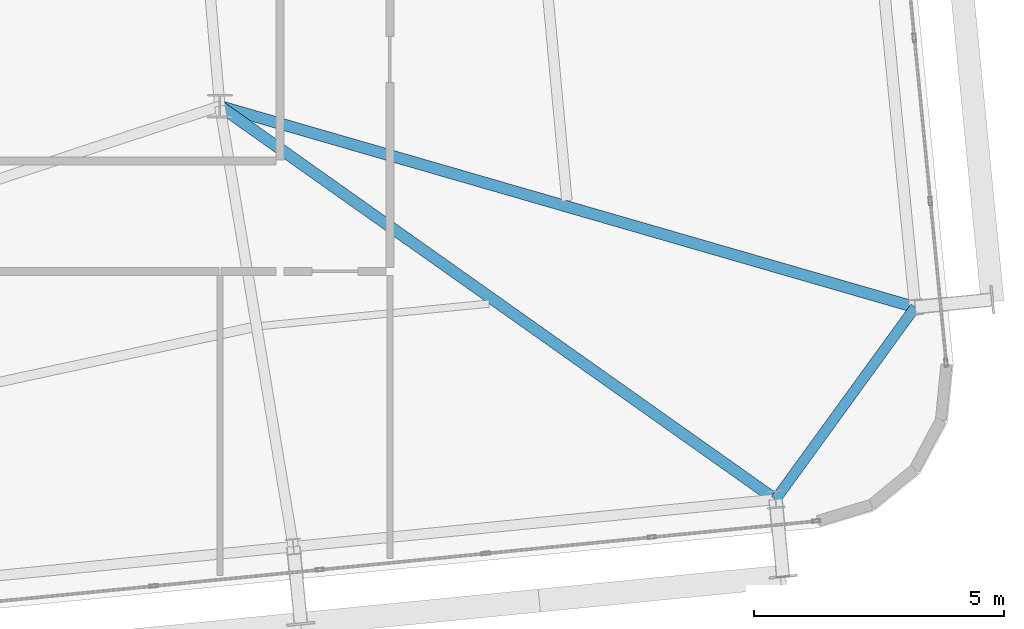
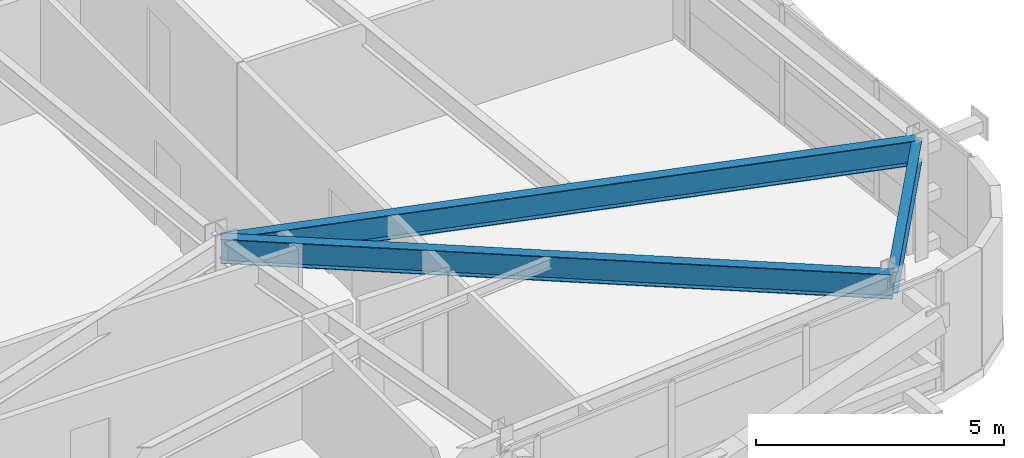
# One storey, part 21 of 52: 3 beams.
"""IFC4 building model written with IfcOpenShell, lengths in metres."""

from ifc_helpers import new_model, si_unit, direction, frame, origin, origin_2d, place, context, subcontext, project, spatial, i_section, extrude, source, transform, mapped, material, material_profile, profile_set, type_object, element, save


model = new_model("IFC4")

# Units and contexts
model_context = context("Model", 3, precision=1e-05, world=origin(), true_north=direction((0.0, 1.0)))
body_context = subcontext(model_context, "Body", "Model", "MODEL_VIEW")
ifc_project = project(units=[si_unit("LENGTHUNIT", "METRE"), si_unit("AREAUNIT", "SQUARE_METRE"), si_unit("VOLUMEUNIT", "CUBIC_METRE"), si_unit("PLANEANGLEUNIT", "RADIAN"), si_unit("MASSUNIT", "GRAM", prefix="KILO")], contexts=[model_context])

# Site, building, storey
site_placement = place(None, origin())
site = spatial("IfcSite", under=ifc_project, at=site_placement, CompositionType="ELEMENT")
building_placement = place(site_placement, origin())
building = spatial("IfcBuilding", under=site, at=building_placement, Name="Taldren Reach Tower", CompositionType="ELEMENT")
storey_placement = place(building_placement, frame((0.0, 0.0, 93.449951171875)))
storey = spatial("IfcBuildingStorey", under=building, at=storey_placement, Name="L28", CompositionType="ELEMENT", Elevation=93.449951171875)

# Beams
ifc_material = material(Name="Steel Gr 350 (350PLUS)", Category="steel")
ifc_material_profile_1 = material_profile(ifc_material, i_section(OverallWidth=0.208984375, OverallDepth=0.528076171875, WebThickness=0.009521484375, FlangeThickness=0.01318359375, at=origin_2d()), Name="530UB82.0")
ifc_profile_set_1 = profile_set([ifc_material_profile_1], Name="Steel Gr 350 (350PLUS)")
beam_type_1 = type_object("IfcBeamType", Name="SP-UB530B", PredefinedType="SPANDREL", material=ifc_profile_set_1)
shared_shape_1 = source(origin(), body_context, "Body", "SweptSolid", [
    extrude(i_section(OverallWidth=0.208984375, OverallDepth=0.528076171875, WebThickness=0.009521484375, FlangeThickness=0.01318359375, at=origin_2d()), origin(), (0.0, 0.0, 1.0), 4.74609375),
])
beam_1_placement = place(storey_placement, frame((63.103271484375, 4.64306640625, 2.666015625), z_axis=(0.58750777154, 0.809218523255, 0.0), x_axis=(-0.809218523255, 0.58750777154, 0.0)))
element("IfcBeam", 1, at=beam_1_placement, inside=storey, type_object=beam_type_1, Name="Perimeter spandrel B2 S6-E1 L28", PredefinedType="SPANDREL", context=body_context, shape_type="MappedRepresentation", body=[
    mapped(shared_shape_1, transform((0.0, 0.0, 0.0), scale=1.0)),
])
ifc_material_profile_2 = material_profile(ifc_material, i_section(OverallWidth=0.22802734375, OverallDepth=0.60205078125, WebThickness=0.010498046875, FlangeThickness=0.014892578125, at=origin_2d()), Name="610UB101")
ifc_profile_set_2 = profile_set([ifc_material_profile_2], Name="Steel Gr 350 (350PLUS)")
beam_type_2 = type_object("IfcBeamType", Name="BM-UB610B", PredefinedType="BEAM", material=ifc_profile_set_2)
shared_shape_2 = source(origin(), body_context, "Body", "SweptSolid", [
    extrude(i_section(OverallWidth=0.22802734375, OverallDepth=0.60205078125, WebThickness=0.010498046875, FlangeThickness=0.014892578125, at=origin_2d()), origin(), (0.0, 0.0, 1.0), 13.60205078125),
])
beam_2_placement = place(storey_placement, frame((52.0, 12.5, 2.629150390625), z_axis=(0.816297773281, -0.577631323022, 0.0), x_axis=(0.577631323022, 0.816297773281, 0.0)))
element("IfcBeam", 2, at=beam_2_placement, inside=storey, type_object=beam_type_2, Name="Primary floor girder B2-S6 L28", PredefinedType="BEAM", context=body_context, shape_type="MappedRepresentation", body=[
    mapped(shared_shape_2, transform((0.0, 0.0, 0.0), scale=1.0)),
])
shared_shape_3 = source(origin(), body_context, "Body", "SweptSolid", [
    extrude(i_section(OverallWidth=0.22802734375, OverallDepth=0.60205078125, WebThickness=0.010498046875, FlangeThickness=0.014892578125, at=origin_2d()), origin(), (0.0, 0.0, 1.0), 14.46044921875),
])
beam_3_placement = place(storey_placement, frame((52.0, 12.5, 2.629150390625), z_axis=(0.960654638583, -0.277745684698, 0.0), x_axis=(0.277745684698, 0.960654638583, 0.0)))
element("IfcBeam", 3, at=beam_3_placement, inside=storey, type_object=beam_type_2, Name="Primary floor girder B2-E1 L28", PredefinedType="BEAM", context=body_context, shape_type="MappedRepresentation", body=[
    mapped(shared_shape_3, transform((0.0, 0.0, 0.0), scale=1.0)),
])

save(model, "model.ifc")
